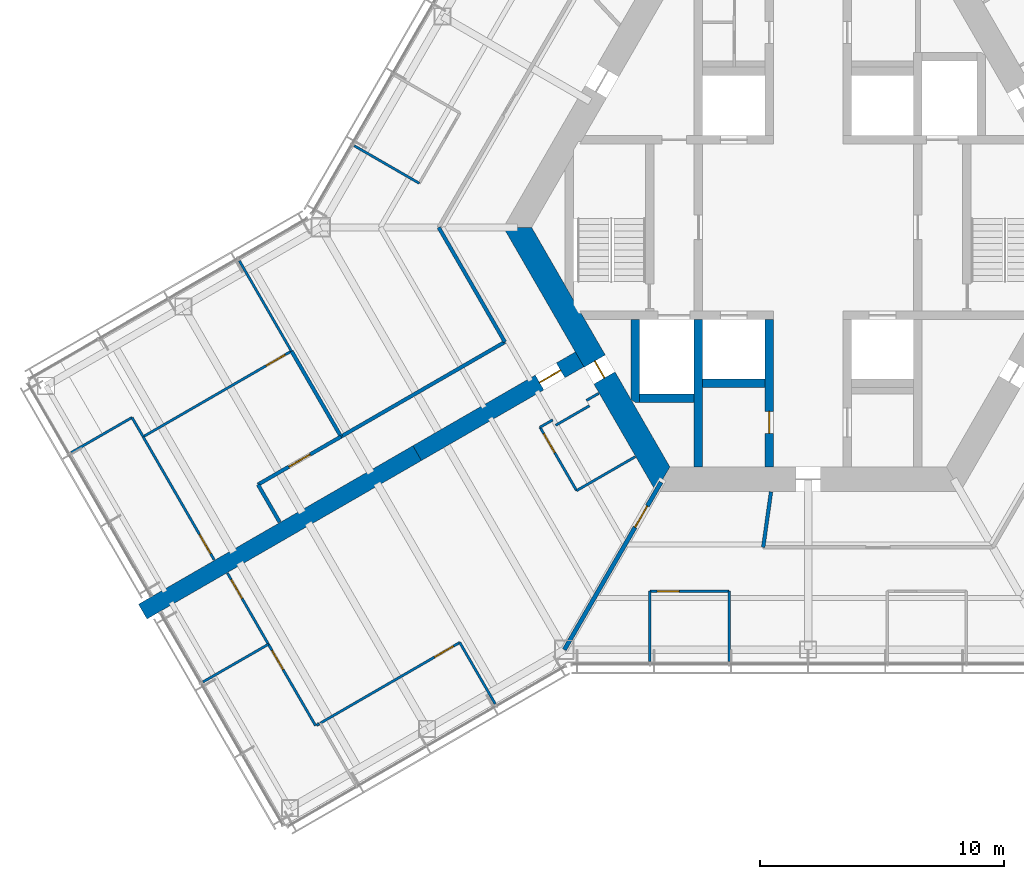
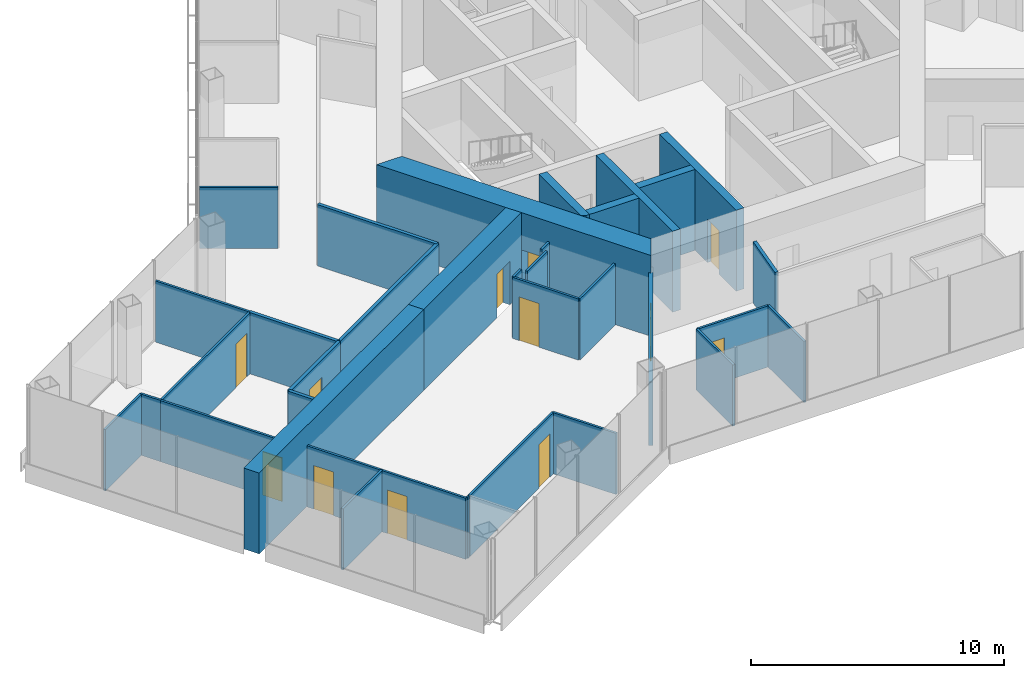
# One storey, part 12 of 18: 35 walls, 12 doors, 12 openings.
"""IFC4 building model written with IfcOpenShell, lengths in metres."""

from ifc_helpers import new_model, si_unit, direction, frame, frame_2d, origin, place, context, subcontext, project, spatial, polyline, rectangle, outline, extrude, material, layer, layer_set, type_object, element, fill, save


model = new_model("IFC4")

# Units and contexts
model_context = context("Model", 3, precision=1e-05, world=origin(), true_north=direction((0.0, 1.0)))
body_context = subcontext(model_context, "Body", "Model", "MODEL_VIEW")
ifc_project = project(units=[si_unit("LENGTHUNIT", "METRE"), si_unit("AREAUNIT", "SQUARE_METRE"), si_unit("VOLUMEUNIT", "CUBIC_METRE"), si_unit("PLANEANGLEUNIT", "RADIAN"), si_unit("MASSUNIT", "GRAM", prefix="KILO")], contexts=[model_context])

# Site, building, storey
site_placement = place(None, origin())
site = spatial("IfcSite", under=ifc_project, at=site_placement, CompositionType="ELEMENT")
building_placement = place(site_placement, origin())
building = spatial("IfcBuilding", under=site, at=building_placement, Name="Kasaneha Research Tower", CompositionType="ELEMENT")
storey_placement = place(building_placement, frame((0.0, 0.0, 183.800048828125)))
storey = spatial("IfcBuildingStorey", under=building, at=storey_placement, Name="L46", CompositionType="ELEMENT", Elevation=183.800048828125)

# Wall, opening, door
ifc_material_1 = material(Name="Concrete Fc70", Category="concrete")
ifc_layer_1 = layer(ifc_material_1, 0.35009765625)
ifc_layer_set_1 = layer_set([ifc_layer_1], Name="Core internal wall 350 Fc70")
wall_type_1 = type_object("IfcWallType", Name="Core internal wall 350 Fc70", PredefinedType="SHEAR", material=ifc_layer_set_1)
wall_1_placement = place(storey_placement, frame((-1.60009765625, -3.77490234375, 0.0), z_axis=(0.0, 0.0, 1.0), x_axis=(0.0, -1.0, 0.0)))
wall_1 = element("IfcWall", 1, at=wall_1_placement, inside=storey, type_object=wall_type_1, Name="Core wall CSW L46", PredefinedType="SHEAR", context=body_context, shape_type="SweptSolid", body=[
    extrude(rectangle(XDim=6.050048828125, YDim=0.35009765625, at=frame_2d((3.02490234375, 0.0))), origin(), (0.0, 0.0, 1.0), 3.89990234375),
])
opening_1_placement = place(wall_1_placement, frame((3.77490234375, 0.0, 0.0)))
opening_1 = element("IfcOpeningElement", 2, at=opening_1_placement, cuts=wall_1, Name="Opening L46-D16", PredefinedType="OPENING", context=body_context, shape_type="SweptSolid", body=[
    extrude(rectangle(XDim=0.89990234375, YDim=2.10009765625, at=frame_2d((0.449951171875, 1.050048828125))), frame((0.0, 0.18505859375, 0.0), z_axis=(0.0, -1.0, 0.0), x_axis=(1.0, 0.0, 0.0)), (0.0, 0.0, 1.0), 0.3701171875),
])
ifc_material_2 = material(Name="Steel", Category="steel")
door_type_1 = type_object("IfcDoorType", Name="Riser access door FD60 900x2100", OperationType="NOTDEFINED", PredefinedType="DOOR", material=ifc_material_2)
door_1_placement = place(opening_1_placement, origin())
door_1 = element("IfcDoor", 3, at=door_1_placement, inside=storey, type_object=door_type_1, Name="Electrical riser door L46-D16", OperationType="SINGLE_SWING_LEFT", OverallHeight=2.10009765625, OverallWidth=0.89990234375, PredefinedType="DOOR", context=body_context, shape_type="SweptSolid", body=[
    extrude(rectangle(XDim=0.89990234375, YDim=2.10009765625, at=frame_2d((0.449951171875, 1.050048828125))), frame((0.0, 0.02490234375, 0.0), z_axis=(0.0, -1.0, 0.0), x_axis=(1.0, 0.0, 0.0)), (0.0, 0.0, 1.0), 0.050048828125),
])
fill(opening_1, door_1)

# Walls
wall_2_placement = place(storey_placement, frame((-4.5, -3.77490234375, 0.0), z_axis=(0.0, 0.0, 1.0), x_axis=(0.0, -1.0, 0.0)))
element("IfcWall", 4, at=wall_2_placement, inside=storey, type_object=wall_type_1, Name="Core wall SSW L46", PredefinedType="SHEAR", context=body_context, shape_type="SweptSolid", body=[
    extrude(rectangle(XDim=6.050048828125, YDim=0.35009765625, at=frame_2d((3.02490234375, 0.0))), origin(), (0.0, 0.0, 1.0), 3.89990234375),
])
wall_3_placement = place(storey_placement, frame((-4.324951171875, -6.39990234375, 0.0), z_axis=(0.0, 0.0, 1.0), x_axis=(1.0, 0.0, 0.0)))
element("IfcWall", 5, at=wall_3_placement, inside=storey, type_object=wall_type_1, Name="Core wall S1S L46", PredefinedType="SHEAR", context=body_context, shape_type="SweptSolid", body=[
    extrude(rectangle(XDim=2.550048828125, YDim=0.35009765625, at=frame_2d((1.27490234375, 0.0))), origin(), (0.0, 0.0, 1.0), 3.89990234375),
])
wall_4_placement = place(storey_placement, frame((-6.925048828125, -7.0, 0.0), z_axis=(0.0, 0.0, 1.0), x_axis=(1.0, 0.0, 0.0)))
element("IfcWall", 6, at=wall_4_placement, inside=storey, type_object=wall_type_1, Name="Core wall F2S L46", PredefinedType="SHEAR", context=body_context, shape_type="SweptSolid", body=[
    extrude(rectangle(XDim=2.25, YDim=0.35009765625, at=frame_2d((1.125, 0.0))), origin(), (0.0, 0.0, 1.0), 3.89990234375),
])
wall_5_placement = place(storey_placement, frame((-7.10009765625, -3.77490234375, 0.0), z_axis=(0.0, 0.0, 1.0), x_axis=(0.0, -1.0, 0.0)))
element("IfcWall", 7, at=wall_5_placement, inside=storey, type_object=wall_type_1, Name="Core wall F2W L46", PredefinedType="SHEAR", context=body_context, shape_type="SweptSolid", body=[
    extrude(outline(polyline([(0.0, -0.175048828125), (3.2744140625, -0.175048828125), (3.400146484375, 0.0), (3.400146484375, 0.175048828125), (0.0, 0.175048828125), (0.0, -0.175048828125)])), origin(), (0.0, 0.0, 1.0), 3.89990234375),
])

# Wall, opening, door
ifc_material_3 = material(Name="Concrete Fc70", Category="concrete")
ifc_layer_2 = layer(ifc_material_3, 1.0)
ifc_layer_set_2 = layer_set([ifc_layer_2], Name="Core wall 1000 Fc70")
wall_type_2 = type_object("IfcWallType", Name="Core wall 1000 Fc70", PredefinedType="SHEAR", material=ifc_layer_set_2)
wall_6_placement = place(storey_placement, frame((-11.92236328125, 0.0, 0.0), z_axis=(0.0, 0.0, 1.0), x_axis=(0.500004296715, -0.866022923061, 0.0)))
wall_6 = element("IfcWall", 8, at=wall_6_placement, inside=storey, type_object=wall_type_2, Name="Core wall 210 L46", PredefinedType="SHEAR", context=body_context, shape_type="SweptSolid", body=[
    extrude(outline(polyline([(-0.28857421875, -0.5), (6.3310546875, -0.5), (7.131103515625, -0.5), (12.2109375, -0.5), (11.6337890625, 0.5), (7.131103515625, 0.5), (6.3310546875, 0.5), (0.28857421875, 0.5), (-0.28857421875, -0.5)])), origin(), (0.0, 0.0, 1.0), 3.89990234375),
])
opening_2_placement = place(wall_6_placement, frame((6.3310546875, 0.0, 0.0)))
opening_2 = element("IfcOpeningElement", 9, at=opening_2_placement, cuts=wall_6, Name="Opening L46-D06", PredefinedType="OPENING", context=body_context, shape_type="SweptSolid", body=[
    extrude(rectangle(XDim=0.800048828125, YDim=2.10009765625, at=frame_2d((0.39990234375, 1.050048828125))), frame((0.0, 0.510009765625, 0.0), z_axis=(0.0, -1.0, 0.0), x_axis=(1.0, 0.0, 0.0)), (0.0, 0.0, 1.0), 1.02001953125),
])
ifc_material_4 = material(Name="Steel", Category="steel")
door_type_2 = type_object("IfcDoorType", Name="Riser access door FD60 800x2100", OperationType="NOTDEFINED", PredefinedType="DOOR", material=ifc_material_4)
door_2_placement = place(opening_2_placement, origin())
door_2 = element("IfcDoor", 10, at=door_2_placement, inside=storey, type_object=door_type_2, Name="Duct riser door L46-D06", OperationType="SINGLE_SWING_RIGHT", OverallHeight=2.10009765625, OverallWidth=0.800048828125, PredefinedType="DOOR", context=body_context, shape_type="SweptSolid", body=[
    extrude(rectangle(XDim=0.800048828125, YDim=2.10009765625, at=frame_2d((0.39990234375, 1.050048828125))), frame((0.0, 0.02490234375, 0.0), z_axis=(0.0, -1.0, 0.0), x_axis=(1.0, 0.0, 0.0)), (0.0, 0.0, 1.0), 0.050048828125),
])
fill(opening_2, door_2)

# Walls
ifc_material_5 = material(Name="Gypsum board on steel studs, one layer each side", Category="steel")
ifc_layer_3 = layer(ifc_material_5, 0.10009765625)
ifc_layer_set_3 = layer_set([ifc_layer_3], Name="Office partition 100")
wall_type_3 = type_object("IfcWallType", Name="Office partition 100", PredefinedType="PARTITIONING", material=ifc_layer_set_3)
wall_7_placement = place(storey_placement, frame((-27.73828125, -7.797119140625, 0.0), z_axis=(0.0, 0.0, 1.0), x_axis=(-0.866069831116, -0.499923041708, 0.0)))
element("IfcWall", 11, at=wall_7_placement, inside=storey, type_object=wall_type_3, Name="Office partition FBN07 L46", PredefinedType="PARTITIONING", context=body_context, shape_type="SweptSolid", body=[
    extrude(rectangle(XDim=2.8798828125, YDim=0.10009765625, at=frame_2d((1.43994140625, 0.0))), origin(), (0.0, 0.0, 1.0), 2.949951171875),
])
wall_8_placement = place(storey_placement, frame((-27.27490234375, -8.58935546875, 0.0), z_axis=(0.0, 0.0, 1.0), x_axis=(-0.504879575425, 0.863189790439, 0.0)))
element("IfcWall", 12, at=wall_8_placement, inside=storey, type_object=wall_type_3, Name="Office partition FBN08 L46", PredefinedType="PARTITIONING", context=body_context, shape_type="SweptSolid", body=[
    extrude(rectangle(XDim=0.917724609375, YDim=0.10009765625, at=frame_2d((0.458984375, 0.0))), origin(), (0.0, 0.0, 1.0), 2.949951171875),
])
wall_9_placement = place(storey_placement, frame((-23.332275390625, -1.36962890625, 0.0), z_axis=(0.0, 0.0, 1.0), x_axis=(0.499054016655, -0.866570879075, 0.0)))
element("IfcWall", 13, at=wall_9_placement, inside=storey, type_object=wall_type_3, Name="Office partition FBN09 L46", PredefinedType="PARTITIONING", context=body_context, shape_type="SweptSolid", body=[
    extrude(rectangle(XDim=4.280029296875, YDim=0.10009765625, at=frame_2d((2.14013671875, 0.0))), origin(), (0.0, 0.0, 1.0), 2.949951171875),
])

# Wall, opening, door
wall_10_placement = place(storey_placement, frame((-21.194580078125, -5.072265625, 0.0), z_axis=(0.0, 0.0, 1.0), x_axis=(-0.865987754233, -0.500065205266, 0.0)))
wall_10 = element("IfcWall", 14, at=wall_10_placement, inside=storey, type_object=wall_type_3, Name="Office partition FBN10 L46", PredefinedType="PARTITIONING", context=body_context, shape_type="SweptSolid", body=[
    extrude(rectangle(XDim=7.02880859375, YDim=0.10009765625, at=frame_2d((3.514404296875, 0.0))), origin(), (0.0, 0.0, 1.0), 2.949951171875),
])
opening_3_placement = place(wall_10_placement, frame((0.300048828125, 0.0, 0.0)))
opening_3 = element("IfcOpeningElement", 15, at=opening_3_placement, cuts=wall_10, Name="Opening L46-D33", PredefinedType="OPENING", context=body_context, shape_type="SweptSolid", body=[
    extrude(rectangle(XDim=0.89990234375, YDim=2.10009765625, at=frame_2d((0.449951171875, 1.050048828125))), frame((0.0, 0.06005859375, 0.0), z_axis=(0.0, -1.0, 0.0), x_axis=(1.0, 0.0, 0.0)), (0.0, 0.0, 1.0), 0.1201171875),
])
ifc_material_6 = material(Name="Timber veneer", Category="wood")
door_type_3 = type_object("IfcDoorType", Name="Office door 900x2100", OperationType="SINGLE_SWING_LEFT", PredefinedType="DOOR", material=ifc_material_6)
door_3_placement = place(opening_3_placement, origin())
door_3 = element("IfcDoor", 16, at=door_3_placement, inside=storey, type_object=door_type_3, Name="Board meeting room door L46-D33", OperationType="SINGLE_SWING_LEFT", OverallHeight=2.10009765625, OverallWidth=0.89990234375, PredefinedType="DOOR", context=body_context, shape_type="SweptSolid", body=[
    extrude(rectangle(XDim=0.89990234375, YDim=2.10009765625, at=frame_2d((0.449951171875, 1.050048828125))), frame((0.0, 0.02490234375, 0.0), z_axis=(0.0, -1.0, 0.0), x_axis=(1.0, 0.0, 0.0)), (0.0, 0.0, 1.0), 0.050048828125),
])
fill(opening_3, door_3)

wall_11_placement = place(storey_placement, frame((-27.281982421875, -8.58740234375, 0.0), z_axis=(0.0, 0.0, 1.0), x_axis=(0.499991719831, -0.86603018429, 0.0)))
wall_11 = element("IfcWall", 17, at=wall_11_placement, inside=storey, type_object=wall_type_3, Name="Office partition FBN11 L46", PredefinedType="PARTITIONING", context=body_context, shape_type="SweptSolid", body=[
    extrude(rectangle(XDim=5.833984375, YDim=0.10009765625, at=frame_2d((2.9169921875, 0.0))), origin(), (0.0, 0.0, 1.0), 2.949951171875),
])
opening_4_placement = place(wall_11_placement, frame((4.634033203125, 0.0, 0.0)))
opening_4 = element("IfcOpeningElement", 18, at=opening_4_placement, cuts=wall_11, Name="Opening L46-D34", PredefinedType="OPENING", context=body_context, shape_type="SweptSolid", body=[
    extrude(rectangle(XDim=0.89990234375, YDim=2.10009765625, at=frame_2d((0.449951171875, 1.050048828125))), frame((0.0, 0.06005859375, 0.0), z_axis=(0.0, -1.0, 0.0), x_axis=(1.0, 0.0, 0.0)), (0.0, 0.0, 1.0), 0.1201171875),
])
door_4_placement = place(opening_4_placement, origin())
door_4 = element("IfcDoor", 19, at=door_4_placement, inside=storey, type_object=door_type_3, Name="Manager's office door L46-D34", OperationType="SINGLE_SWING_RIGHT", OverallHeight=2.10009765625, OverallWidth=0.89990234375, PredefinedType="DOOR", context=body_context, shape_type="SweptSolid", body=[
    extrude(rectangle(XDim=0.89990234375, YDim=2.10009765625, at=frame_2d((0.449951171875, 1.050048828125))), frame((0.0, 0.02490234375, 0.0), z_axis=(0.0, -1.0, 0.0), x_axis=(1.0, 0.0, 0.0)), (0.0, 0.0, 1.0), 0.050048828125),
])
fill(opening_4, door_4)

# Walls
wall_12_placement = place(storey_placement, frame((-15.952392578125, 1.810546875, 0.0), z_axis=(0.0, 0.0, 1.0), x_axis=(-0.866029832698, 0.499992328818, 0.0)))
element("IfcWall", 20, at=wall_12_placement, inside=storey, type_object=wall_type_3, Name="Office partition FBN16 L46", PredefinedType="PARTITIONING", context=body_context, shape_type="SweptSolid", body=[
    extrude(rectangle(XDim=3.080078125, YDim=0.10009765625, at=frame_2d((1.5400390625, 0.0))), origin(), (0.0, 0.0, 1.0), 2.949951171875),
])
wall_13_placement = place(storey_placement, frame((-10.99951171875, -8.197998046875, 0.0), z_axis=(0.0, 0.0, 1.0), x_axis=(0.866131372301, 0.499816412211, 0.0)))
element("IfcWall", 21, at=wall_13_placement, inside=storey, type_object=wall_type_3, Name="Office partition FBS01 L46", PredefinedType="PARTITIONING", context=body_context, shape_type="SweptSolid", body=[
    extrude(rectangle(XDim=0.599853515625, YDim=0.10009765625, at=frame_2d((0.2998046875, 0.0))), origin(), (0.0, 0.0, 1.0), 2.949951171875),
])
wall_14_placement = place(storey_placement, frame((-10.35498046875, -8.114501953125, 0.0), z_axis=(0.0, 0.0, 1.0), x_axis=(0.866094119867, 0.499880961361, 0.0)))
element("IfcWall", 22, at=wall_14_placement, inside=storey, type_object=wall_type_3, Name="Office partition FBS02 L46", PredefinedType="PARTITIONING", context=body_context, shape_type="SweptSolid", body=[
    extrude(rectangle(XDim=1.60009765625, YDim=0.10009765625, at=frame_2d((0.800048828125, 0.0))), origin(), (0.0, 0.0, 1.0), 2.949951171875),
])

# Wall, opening, door
wall_15_placement = place(storey_placement, frame((-9.49951171875, -10.796142578125, 0.0), z_axis=(0.0, 0.0, 1.0), x_axis=(-0.499990139034, 0.866031096941, 0.0)))
wall_15 = element("IfcWall", 23, at=wall_15_placement, inside=storey, type_object=wall_type_3, Name="Office partition FBS03 L46", PredefinedType="PARTITIONING", context=body_context, shape_type="SweptSolid", body=[
    extrude(rectangle(XDim=3.0, YDim=0.10009765625, at=frame_2d((1.5, 0.0))), origin(), (0.0, 0.0, 1.0), 2.949951171875),
])
opening_5_placement = place(wall_15_placement, frame((1.800048828125, 0.0, 0.0)))
opening_5 = element("IfcOpeningElement", 24, at=opening_5_placement, cuts=wall_15, Name="Opening L46-D37", PredefinedType="OPENING", context=body_context, shape_type="SweptSolid", body=[
    extrude(rectangle(XDim=0.89990234375, YDim=2.10009765625, at=frame_2d((0.449951171875, 1.050048828125))), frame((0.0, 0.06005859375, 0.0), z_axis=(0.0, -1.0, 0.0), x_axis=(1.0, 0.0, 0.0)), (0.0, 0.0, 1.0), 0.1201171875),
])
door_5_placement = place(opening_5_placement, origin())
door_5 = element("IfcDoor", 25, at=door_5_placement, inside=storey, type_object=door_type_3, Name="Pantry door L46-D37", OperationType="SINGLE_SWING_RIGHT", OverallHeight=2.10009765625, OverallWidth=0.89990234375, PredefinedType="DOOR", context=body_context, shape_type="SweptSolid", body=[
    extrude(rectangle(XDim=0.89990234375, YDim=2.10009765625, at=frame_2d((0.449951171875, 1.050048828125))), frame((0.0, 0.02490234375, 0.0), z_axis=(0.0, -1.0, 0.0), x_axis=(1.0, 0.0, 0.0)), (0.0, 0.0, 1.0), 0.050048828125),
])
fill(opening_5, door_5)

# Walls
wall_16_placement = place(storey_placement, frame((-9.09423828125, -7.09814453125, 0.0), z_axis=(0.0, 0.0, 1.0), x_axis=(0.865954211699, 0.50012328804, 0.0)))
element("IfcWall", 26, at=wall_16_placement, inside=storey, type_object=wall_type_3, Name="Office partition FBS04 L46", PredefinedType="PARTITIONING", context=body_context, shape_type="SweptSolid", body=[
    extrude(rectangle(XDim=0.579833984375, YDim=0.10009765625, at=frame_2d((0.2900390625, 0.0))), origin(), (0.0, 0.0, 1.0), 2.949951171875),
])
wall_17_placement = place(storey_placement, frame((-7.092041015625, -9.40625, 0.0), z_axis=(0.0, 0.0, 1.0), x_axis=(-0.86603494908, -0.499983466698, 0.0)))
element("IfcWall", 27, at=wall_17_placement, inside=storey, type_object=wall_type_3, Name="Office partition FBS05 L46", PredefinedType="PARTITIONING", context=body_context, shape_type="SweptSolid", body=[
    extrude(rectangle(XDim=2.77978515625, YDim=0.10009765625, at=frame_2d((1.389892578125, 0.0))), origin(), (0.0, 0.0, 1.0), 2.949951171875),
])

# Wall, opening, door
wall_18_placement = place(storey_placement, frame((-20.02294921875, -20.340576171875, 0.0), z_axis=(0.0, 0.0, 1.0), x_axis=(0.865724093718, 0.500521521571, 0.0)))
wall_18 = element("IfcWall", 28, at=wall_18_placement, inside=storey, type_object=wall_type_3, Name="Office partition FBS07 L46", PredefinedType="PARTITIONING", context=body_context, shape_type="SweptSolid", body=[
    extrude(rectangle(XDim=6.61962890625, YDim=0.10009765625, at=frame_2d((3.309814453125, 0.0))), origin(), (0.0, 0.0, 1.0), 2.949951171875),
])
opening_6_placement = place(wall_18_placement, frame((5.419677734375, 0.0, 0.0)))
opening_6 = element("IfcOpeningElement", 29, at=opening_6_placement, cuts=wall_18, Name="Opening L46-D38", PredefinedType="OPENING", context=body_context, shape_type="SweptSolid", body=[
    extrude(rectangle(XDim=0.89990234375, YDim=2.10009765625, at=frame_2d((0.449951171875, 1.050048828125))), frame((0.0, 0.06005859375, 0.0), z_axis=(0.0, -1.0, 0.0), x_axis=(1.0, 0.0, 0.0)), (0.0, 0.0, 1.0), 0.1201171875),
])
door_6_placement = place(opening_6_placement, origin())
door_6 = element("IfcDoor", 30, at=door_6_placement, inside=storey, type_object=door_type_3, Name="Manager's office door L46-D38", OperationType="SINGLE_SWING_RIGHT", OverallHeight=2.10009765625, OverallWidth=0.89990234375, PredefinedType="DOOR", context=body_context, shape_type="SweptSolid", body=[
    extrude(rectangle(XDim=0.89990234375, YDim=2.10009765625, at=frame_2d((0.449951171875, 1.050048828125))), frame((0.0, 0.02490234375, 0.0), z_axis=(0.0, -1.0, 0.0), x_axis=(1.0, 0.0, 0.0)), (0.0, 0.0, 1.0), 0.050048828125),
])
fill(opening_6, door_6)

# Walls
wall_19_placement = place(storey_placement, frame((-14.292236328125, -17.02734375, 0.0), z_axis=(0.0, 0.0, 1.0), x_axis=(0.500025556299, -0.866010648346, 0.0)))
element("IfcWall", 31, at=wall_19_placement, inside=storey, type_object=wall_type_3, Name="Office partition FBS08 L46", PredefinedType="PARTITIONING", context=body_context, shape_type="SweptSolid", body=[
    extrude(rectangle(XDim=2.905029296875, YDim=0.10009765625, at=frame_2d((1.45263671875, 0.0))), origin(), (0.0, 0.0, 1.0), 2.949951171875),
])
wall_20_placement = place(storey_placement, frame((-24.8291015625, -18.64599609375, 0.0), z_axis=(0.0, 0.0, 1.0), x_axis=(0.866817104484, 0.498626220103, 0.0)))
element("IfcWall", 32, at=wall_20_placement, inside=storey, type_object=wall_type_3, Name="Office partition FBS09 L46", PredefinedType="PARTITIONING", context=body_context, shape_type="SweptSolid", body=[
    extrude(rectangle(XDim=3.105224609375, YDim=0.10009765625, at=frame_2d((1.552734375, 0.0))), origin(), (0.0, 0.0, 1.0), 2.949951171875),
])

# Wall, opening, door
wall_21_placement = place(storey_placement, frame((-22.143798828125, -17.095458984375, 0.0), z_axis=(0.0, 0.0, 1.0), x_axis=(0.501190610045, -0.865336912655, 0.0)))
wall_21 = element("IfcWall", 33, at=wall_21_placement, inside=storey, type_object=wall_type_3, Name="Office partition FBS10 L46", PredefinedType="PARTITIONING", context=body_context, shape_type="SweptSolid", body=[
    extrude(rectangle(XDim=3.86572265625, YDim=0.10009765625, at=frame_2d((1.932861328125, 0.0))), origin(), (0.0, 0.0, 1.0), 2.949951171875),
])
opening_7_placement = place(wall_21_placement, frame((0.300048828125, 0.0, 0.0)))
opening_7 = element("IfcOpeningElement", 34, at=opening_7_placement, cuts=wall_21, Name="Opening L46-D39", PredefinedType="OPENING", context=body_context, shape_type="SweptSolid", body=[
    extrude(rectangle(XDim=0.89990234375, YDim=2.10009765625, at=frame_2d((0.449951171875, 1.050048828125))), frame((0.0, 0.06005859375, 0.0), z_axis=(0.0, -1.0, 0.0), x_axis=(1.0, 0.0, 0.0)), (0.0, 0.0, 1.0), 0.1201171875),
])
door_7_placement = place(opening_7_placement, origin())
door_7 = element("IfcDoor", 35, at=door_7_placement, inside=storey, type_object=door_type_3, Name="Workroom door L46-D39", OperationType="SINGLE_SWING_LEFT", OverallHeight=2.10009765625, OverallWidth=0.89990234375, PredefinedType="DOOR", context=body_context, shape_type="SweptSolid", body=[
    extrude(rectangle(XDim=0.89990234375, YDim=2.10009765625, at=frame_2d((0.449951171875, 1.050048828125))), frame((0.0, 0.02490234375, 0.0), z_axis=(0.0, -1.0, 0.0), x_axis=(1.0, 0.0, 0.0)), (0.0, 0.0, 1.0), 0.050048828125),
])
fill(opening_7, door_7)

wall_22_placement = place(storey_placement, frame((-23.82177734375, -14.1806640625, 0.0), z_axis=(0.0, 0.0, 1.0), x_axis=(0.49891157834, -0.866652893031, 0.0)))
wall_22 = element("IfcWall", 36, at=wall_22_placement, inside=storey, type_object=wall_type_3, Name="Office partition FBS11 L46", PredefinedType="PARTITIONING", context=body_context, shape_type="SweptSolid", body=[
    extrude(rectangle(XDim=3.36328125, YDim=0.10009765625, at=frame_2d((1.681640625, 0.0))), origin(), (0.0, 0.0, 1.0), 2.949951171875),
])
opening_8_placement = place(wall_22_placement, frame((0.300048828125, 0.0, 0.0)))
opening_8 = element("IfcOpeningElement", 37, at=opening_8_placement, cuts=wall_22, Name="Opening L46-D40", PredefinedType="OPENING", context=body_context, shape_type="SweptSolid", body=[
    extrude(rectangle(XDim=0.89990234375, YDim=2.10009765625, at=frame_2d((0.449951171875, 1.050048828125))), frame((0.0, 0.06005859375, 0.0), z_axis=(0.0, -1.0, 0.0), x_axis=(1.0, 0.0, 0.0)), (0.0, 0.0, 1.0), 0.1201171875),
])
door_8_placement = place(opening_8_placement, origin())
door_8 = element("IfcDoor", 38, at=door_8_placement, inside=storey, type_object=door_type_3, Name="Phone room door L46-D40", OperationType="SINGLE_SWING_LEFT", OverallHeight=2.10009765625, OverallWidth=0.89990234375, PredefinedType="DOOR", context=body_context, shape_type="SweptSolid", body=[
    extrude(rectangle(XDim=0.89990234375, YDim=2.10009765625, at=frame_2d((0.449951171875, 1.050048828125))), frame((0.0, 0.02490234375, 0.0), z_axis=(0.0, -1.0, 0.0), x_axis=(1.0, 0.0, 0.0)), (0.0, 0.0, 1.0), 0.050048828125),
])
fill(opening_8, door_8)

# Wall
wall_23_placement = place(storey_placement, frame((-6.492919921875, -17.800537109375, 0.0), z_axis=(0.0, 0.0, 1.0), x_axis=(0.0, 1.0, 0.0)))
element("IfcWall", 39, at=wall_23_placement, inside=storey, type_object=wall_type_3, Name="Office partition FCS10 L46", PredefinedType="PARTITIONING", context=body_context, shape_type="SweptSolid", body=[
    extrude(rectangle(XDim=2.880126953125, YDim=0.10009765625, at=frame_2d((1.43994140625, 0.0))), origin(), (0.0, 0.0, 1.0), 2.949951171875),
])

# Wall, opening, door
wall_24_placement = place(storey_placement, frame((-6.492919921875, -14.92041015625, 0.0), z_axis=(0.0, 0.0, 1.0), x_axis=(1.0, 0.0, 0.0)))
wall_24 = element("IfcWall", 40, at=wall_24_placement, inside=storey, type_object=wall_type_3, Name="Office partition FCS11 L46", PredefinedType="PARTITIONING", context=body_context, shape_type="SweptSolid", body=[
    extrude(rectangle(XDim=3.24658203125, YDim=0.10009765625, at=frame_2d((1.623291015625, 0.0))), origin(), (0.0, 0.0, 1.0), 2.949951171875),
])
opening_9_placement = place(wall_24_placement, frame((0.300048828125, 0.0, 0.0)))
opening_9 = element("IfcOpeningElement", 41, at=opening_9_placement, cuts=wall_24, Name="Opening L46-D46", PredefinedType="OPENING", context=body_context, shape_type="SweptSolid", body=[
    extrude(rectangle(XDim=0.89990234375, YDim=2.10009765625, at=frame_2d((0.449951171875, 1.050048828125))), frame((0.0, 0.06005859375, 0.0), z_axis=(0.0, -1.0, 0.0), x_axis=(1.0, 0.0, 0.0)), (0.0, 0.0, 1.0), 0.1201171875),
])
door_9_placement = place(opening_9_placement, origin())
door_9 = element("IfcDoor", 42, at=door_9_placement, inside=storey, type_object=door_type_3, Name="Manager's office door L46-D46", OperationType="SINGLE_SWING_LEFT", OverallHeight=2.10009765625, OverallWidth=0.89990234375, PredefinedType="DOOR", context=body_context, shape_type="SweptSolid", body=[
    extrude(rectangle(XDim=0.89990234375, YDim=2.10009765625, at=frame_2d((0.449951171875, 1.050048828125))), frame((0.0, 0.02490234375, 0.0), z_axis=(0.0, -1.0, 0.0), x_axis=(1.0, 0.0, 0.0)), (0.0, 0.0, 1.0), 0.050048828125),
])
fill(opening_9, door_9)

# Walls
wall_25_placement = place(storey_placement, frame((-3.246337890625, -14.92041015625, 0.0), z_axis=(0.0, 0.0, 1.0), x_axis=(0.0, -1.0, 0.0)))
element("IfcWall", 43, at=wall_25_placement, inside=storey, type_object=wall_type_3, Name="Office partition FCS12 L46", PredefinedType="PARTITIONING", context=body_context, shape_type="SweptSolid", body=[
    extrude(rectangle(XDim=2.880126953125, YDim=0.10009765625, at=frame_2d((1.43994140625, 0.0))), origin(), (0.0, 0.0, 1.0), 2.949951171875),
])
wall_26_placement = place(storey_placement, frame((-20.162841796875, -20.416015625, 0.0), z_axis=(0.0, 0.0, 1.0), x_axis=(0.868768086692, 0.495219155068, 0.0)))
element("IfcWall", 44, at=wall_26_placement, inside=storey, type_object=wall_type_3, Name="Office partition closer PT5 L46", PredefinedType="PARTITIONING", context=body_context, shape_type="SweptSolid", body=[
    extrude(rectangle(XDim=0.1142578125, YDim=0.10009765625, at=frame_2d((0.05712890625, 0.0))), origin(), (0.0, 0.0, 1.0), 2.949951171875),
])

# Wall, opening, door
ifc_material_7 = material(Name="Concrete Fc70", Category="concrete")
ifc_layer_4 = layer(ifc_material_7, 0.699951171875)
ifc_layer_set_4 = layer_set([ifc_layer_4], Name="Spine wall 700 Fc70")
wall_type_4 = type_object("IfcWallType", Name="Spine wall 700 Fc70", PredefinedType="SHEAR", material=ifc_layer_set_4)
wall_27_placement = place(storey_placement, frame((-9.374755859375, -5.41259765625, 0.0), z_axis=(0.0, 0.0, 1.0), x_axis=(-0.866032377459, -0.499987921047, 0.0)))
wall_27 = element("IfcWall", 45, at=wall_27_placement, inside=storey, type_object=wall_type_4, Name="Spine wall B L46", PredefinedType="SHEAR", context=body_context, shape_type="SweptSolid", body=[
    extrude(rectangle(XDim=7.695556640625, YDim=0.699951171875, at=frame_2d((3.84765625, 0.0))), origin(), (0.0, 0.0, 1.0), 3.89990234375),
])
opening_10_placement = place(wall_27_placement, frame((0.89990234375, 0.0, 0.0)))
opening_10 = element("IfcOpeningElement", 46, at=opening_10_placement, cuts=wall_27, Name="Opening L46-D18", PredefinedType="OPENING", context=body_context, shape_type="SweptSolid", body=[
    extrude(rectangle(XDim=1.0, YDim=2.10009765625, at=frame_2d((0.5, 1.050048828125))), frame((0.0, 0.35986328125, 0.0), z_axis=(0.0, -1.0, 0.0), x_axis=(1.0, 0.0, 0.0)), (0.0, 0.0, 1.0), 0.719970703125),
])
ifc_material_8 = material(Name="Steel", Category="steel")
door_type_4 = type_object("IfcDoorType", Name="Specified fire door FD60 1000x2100", OperationType="NOTDEFINED", PredefinedType="DOOR", material=ifc_material_8)
door_10_placement = place(opening_10_placement, origin())
door_10 = element("IfcDoor", 47, at=door_10_placement, inside=storey, type_object=door_type_4, Name="Spine doorway B L46-D18", OperationType="SINGLE_SWING_LEFT", OverallHeight=2.10009765625, OverallWidth=1.0, PredefinedType="DOOR", context=body_context, shape_type="SweptSolid", body=[
    extrude(rectangle(XDim=1.0, YDim=2.10009765625, at=frame_2d((0.5, 1.050048828125))), frame((0.0, 0.02490234375, 0.0), z_axis=(0.0, -1.0, 0.0), x_axis=(1.0, 0.0, 0.0)), (0.0, 0.0, 1.0), 0.050048828125),
])
fill(opening_10, door_10)

# Walls
wall_28_placement = place(storey_placement, frame((-16.039306640625, -9.26025390625, 0.0), z_axis=(0.0, 0.0, 1.0), x_axis=(-0.866024837091, -0.50000098154, 0.0)))
element("IfcWall", 48, at=wall_28_placement, inside=storey, type_object=wall_type_4, Name="Spine wall B wing L46", PredefinedType="SHEAR", context=body_context, shape_type="SweptSolid", body=[
    extrude(rectangle(XDim=13.0, YDim=0.699951171875, at=frame_2d((6.5, 0.0))), origin(), (0.0, 0.0, 1.0), 3.89990234375),
])
ifc_material_9 = material(Name="Gypsum board on steel studs, two layers each side", Category="steel")
ifc_layer_5 = layer(ifc_material_9, 0.14990234375)
ifc_layer_set_5 = layer_set([ifc_layer_5], Name="Suite partition 150")
wall_type_5 = type_object("IfcWallType", Name="Suite partition 150", PredefinedType="PARTITIONING", material=ifc_layer_set_5)
wall_29_placement = place(storey_placement, frame((-19.17138671875, -8.586181640625, 0.0), z_axis=(0.0, 0.0, 1.0), x_axis=(0.866007176269, 0.500031569654, 0.0)))
element("IfcWall", 49, at=wall_29_placement, inside=storey, type_object=wall_type_5, Name="Suite partition FBN01 L46", PredefinedType="PARTITIONING", context=body_context, shape_type="SweptSolid", body=[
    extrude(rectangle(XDim=7.77099609375, YDim=0.14990234375, at=frame_2d((3.885498046875, 0.0))), origin(), (0.0, 0.0, 1.0), 2.949951171875),
])
wall_30_placement = place(storey_placement, frame((-12.441650390625, -4.700439453125, 0.0), z_axis=(0.0, 0.0, 1.0), x_axis=(-0.500009286329, 0.866020042254, 0.0)))
element("IfcWall", 50, at=wall_30_placement, inside=storey, type_object=wall_type_5, Name="Suite partition FBN03 L46", PredefinedType="PARTITIONING", context=body_context, shape_type="SweptSolid", body=[
    extrude(rectangle(XDim=5.427734375, YDim=0.14990234375, at=frame_2d((2.7138671875, 0.0))), origin(), (0.0, 0.0, 1.0), 2.949951171875),
])

# Wall, opening, door
wall_31_placement = place(storey_placement, frame((-22.5703125, -10.54833984375, 0.0), z_axis=(0.0, 0.0, 1.0), x_axis=(0.866027491634, 0.499996383721, 0.0)))
wall_31 = element("IfcWall", 51, at=wall_31_placement, inside=storey, type_object=wall_type_5, Name="Suite partition FBN05 L46", PredefinedType="PARTITIONING", context=body_context, shape_type="SweptSolid", body=[
    extrude(rectangle(XDim=3.9345703125, YDim=0.14990234375, at=frame_2d((1.96728515625, 0.0))), origin(), (0.0, 0.0, 1.0), 2.949951171875),
])
opening_11_placement = place(wall_31_placement, frame((1.467041015625, 0.0, 0.0)))
opening_11 = element("IfcOpeningElement", 52, at=opening_11_placement, cuts=wall_31, Name="Opening L46-D32", PredefinedType="OPENING", context=body_context, shape_type="SweptSolid", body=[
    extrude(rectangle(XDim=1.0, YDim=2.10009765625, at=frame_2d((0.5, 1.050048828125))), frame((0.0, 0.0849609375, 0.0), z_axis=(0.0, -1.0, 0.0), x_axis=(1.0, 0.0, 0.0)), (0.0, 0.0, 1.0), 0.169921875),
])
ifc_material_10 = material(Name="Steel", Category="steel")
door_type_5 = type_object("IfcDoorType", Name="Suite entrance door FD60 1000x2100", OperationType="NOTDEFINED", PredefinedType="DOOR", material=ifc_material_10)
door_11_placement = place(opening_11_placement, origin())
door_11 = element("IfcDoor", 53, at=door_11_placement, inside=storey, type_object=door_type_5, Name="Suite entrance door L46-D32", OperationType="SINGLE_SWING_LEFT", OverallHeight=2.10009765625, OverallWidth=1.0, PredefinedType="DOOR", context=body_context, shape_type="SweptSolid", body=[
    extrude(rectangle(XDim=1.0, YDim=2.10009765625, at=frame_2d((0.5, 1.050048828125))), frame((0.0, 0.02490234375, 0.0), z_axis=(0.0, -1.0, 0.0), x_axis=(1.0, 0.0, 0.0)), (0.0, 0.0, 1.0), 0.050048828125),
])
fill(opening_11, door_11)

# Walls
wall_32_placement = place(storey_placement, frame((-21.68017578125, -12.08984375, 0.0), z_axis=(0.0, 0.0, 1.0), x_axis=(-0.500062787734, 0.865989150234, 0.0)))
element("IfcWall", 54, at=wall_32_placement, inside=storey, type_object=wall_type_5, Name="Suite partition FBN06 L46", PredefinedType="PARTITIONING", context=body_context, shape_type="SweptSolid", body=[
    extrude(rectangle(XDim=1.780029296875, YDim=0.14990234375, at=frame_2d((0.89013671875, 0.0))), origin(), (0.0, 0.0, 1.0), 2.949951171875),
])
wall_33_placement = place(storey_placement, frame((-19.1630859375, -8.580810546875, 0.0), z_axis=(0.0, 0.0, 1.0), x_axis=(-0.500988791675, 0.865453771507, 0.0)))
element("IfcWall", 55, at=wall_33_placement, inside=storey, type_object=wall_type_5, Name="Suite partition FBN18 L46", PredefinedType="PARTITIONING", context=body_context, shape_type="SweptSolid", body=[
    extrude(rectangle(XDim=4.053955078125, YDim=0.14990234375, at=frame_2d((2.02685546875, 0.0))), origin(), (0.0, 0.0, 1.0), 2.949951171875),
])
wall_34_placement = place(storey_placement, frame((-1.844482421875, -13.125, 0.0), z_axis=(0.0, 0.0, 1.0), x_axis=(0.139119980631, 0.990275532864, 0.0)))
element("IfcWall", 56, at=wall_34_placement, inside=storey, type_object=wall_type_5, Name="Suite partition FCS01 L46", PredefinedType="PARTITIONING", context=body_context, shape_type="SweptSolid", body=[
    extrude(rectangle(XDim=2.302490234375, YDim=0.14990234375, at=frame_2d((1.1513671875, 0.0))), origin(), (0.0, 0.0, 1.0), 2.949951171875),
])

# Wall, opening, door
ifc_material_11 = material(Name="Gypsum board on steel studs, two layers each side", Category="steel")
ifc_layer_6 = layer(ifc_material_11, 0.175048828125)
ifc_layer_set_6 = layer_set([ifc_layer_6], Name="Tenancy fire partition 175")
wall_type_6 = type_object("IfcWallType", Name="Tenancy fire partition 175", PredefinedType="PARTITIONING", material=ifc_layer_set_6)
wall_35_placement = place(storey_placement, frame((-6.034912109375, -10.45263671875, 0.0), z_axis=(0.0, 0.0, 1.0), x_axis=(-0.499989830942, -0.866031274813, 0.0)))
wall_35 = element("IfcWall", 57, at=wall_35_placement, inside=storey, type_object=wall_type_6, Name="Tenancy fire partition T240 L46", PredefinedType="PARTITIONING", context=body_context, shape_type="SweptSolid", body=[
    extrude(rectangle(XDim=7.930419921875, YDim=0.175048828125, at=frame_2d((3.96533203125, 0.0))), origin(), (0.0, 0.0, 1.0), 3.050048828125),
])
opening_12_placement = place(wall_35_placement, frame((1.1298828125, 0.0, 0.0)))
opening_12 = element("IfcOpeningElement", 58, at=opening_12_placement, cuts=wall_35, Name="Opening L46-D23", PredefinedType="OPENING", context=body_context, shape_type="SweptSolid", body=[
    extrude(rectangle(XDim=1.0, YDim=2.10009765625, at=frame_2d((0.5, 1.050048828125))), frame((0.0, 0.09765625, 0.0), z_axis=(0.0, -1.0, 0.0), x_axis=(1.0, 0.0, 0.0)), (0.0, 0.0, 1.0), 0.195068359375),
])
door_12_placement = place(opening_12_placement, origin())
door_12 = element("IfcDoor", 59, at=door_12_placement, inside=storey, type_object=door_type_5, Name="Connecting door L46-D23", OperationType="SINGLE_SWING_LEFT", OverallHeight=2.10009765625, OverallWidth=1.0, PredefinedType="DOOR", context=body_context, shape_type="SweptSolid", body=[
    extrude(rectangle(XDim=1.0, YDim=2.10009765625, at=frame_2d((0.5, 1.050048828125))), frame((0.0, 0.02490234375, 0.0), z_axis=(0.0, -1.0, 0.0), x_axis=(1.0, 0.0, 0.0)), (0.0, 0.0, 1.0), 0.050048828125),
])
fill(opening_12, door_12)

save(model, "model.ifc")
